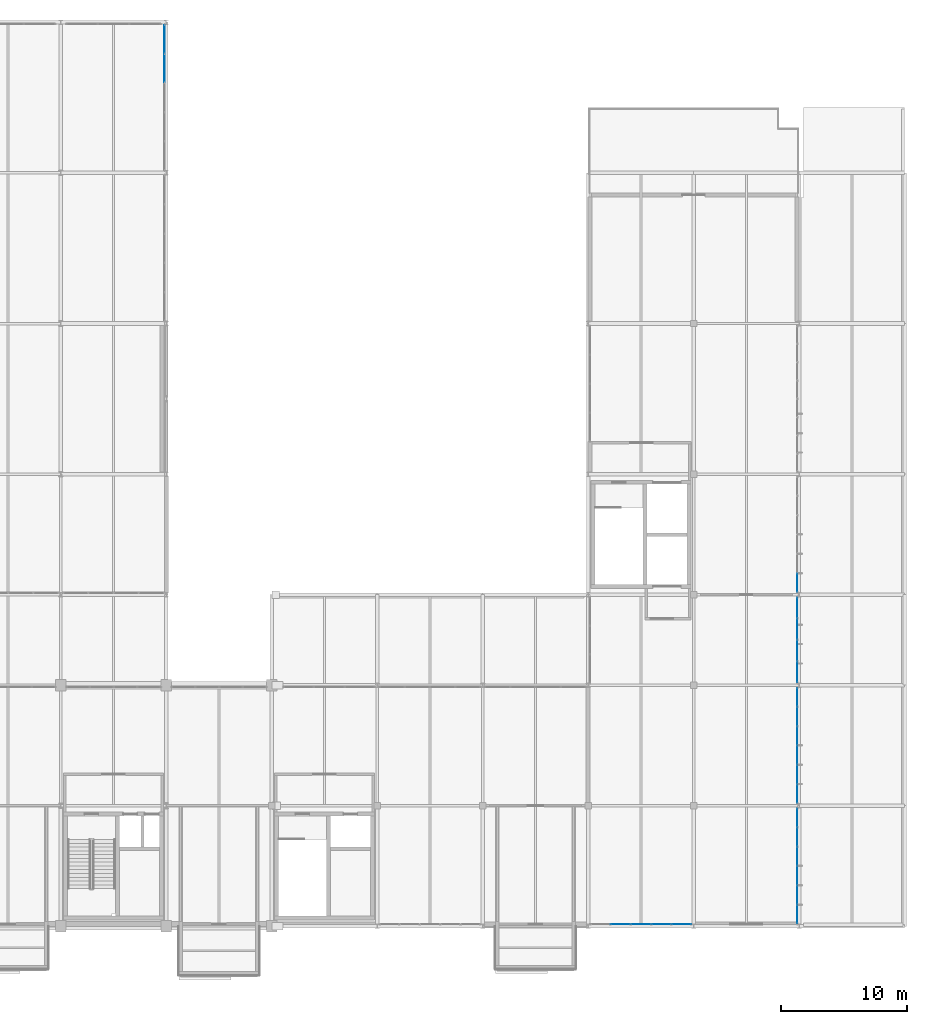
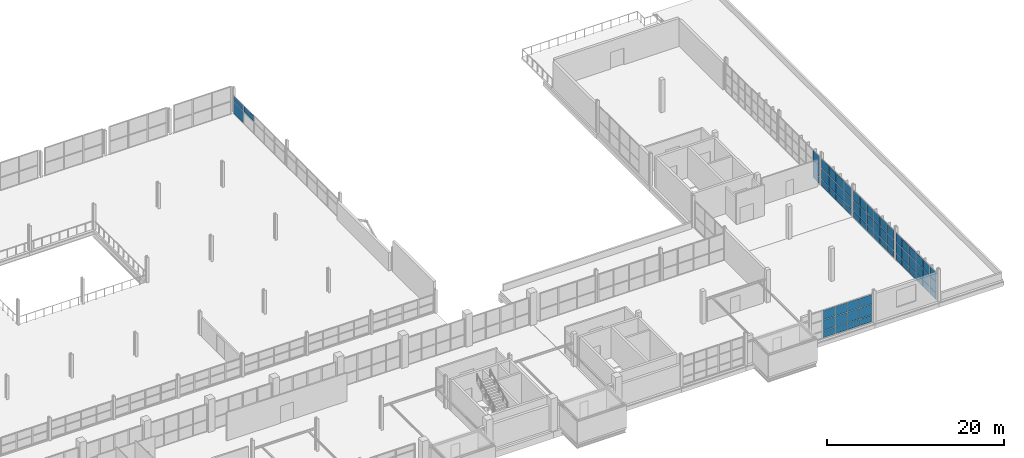
# One storey, part 89 of 103: 66 plates, 6 elements without a shape of their own.
"""IFC4 building model written with IfcOpenShell, lengths in metres."""

from ifc_helpers import new_model, si_unit, direction, frame, origin, origin_2d, place, context, subcontext, project, spatial, rectangle, extrude, material, layer, layer_set, type_object, element, aggregate, save


model = new_model("IFC4")

# Units and contexts
model_context = context("Model", 3, precision=1e-05, world=origin(), true_north=direction((0.0, 1.0)))
body_context = subcontext(model_context, "Body", "Model", "MODEL_VIEW")
ifc_project = project(units=[si_unit("LENGTHUNIT", "METRE"), si_unit("AREAUNIT", "SQUARE_METRE"), si_unit("VOLUMEUNIT", "CUBIC_METRE"), si_unit("PLANEANGLEUNIT", "RADIAN"), si_unit("MASSUNIT", "GRAM", prefix="KILO")], contexts=[model_context])

# Site, building, storey
site_placement = place(None, origin())
site = spatial("IfcSite", under=ifc_project, at=site_placement, CompositionType="ELEMENT")
building_placement = place(site_placement, origin())
building = spatial("IfcBuilding", under=site, at=building_placement, Name="Veltarok Museum of Natural Sciences", CompositionType="ELEMENT")
storey_placement = place(building_placement, frame((0.0, 0.0, 21.89990234375)))
storey = spatial("IfcBuildingStorey", under=building, at=storey_placement, Name="L04", CompositionType="ELEMENT", Elevation=21.89990234375)

# Curtain wall, plates
ifc_material = material(Name="Low-iron triple insulated glass", Category="glass")
curtain_wall_type_1 = type_object("IfcCurtainWallType", Name="Curtain Wall System CW-V5S-L04-16-810x388 (V5 South Lab Curtain Wall L04 16-17 810x388cm)", PredefinedType="NOTDEFINED", material=ifc_material)
curtain_wall_1_placement = place(storey_placement, origin())
curtain_wall_1 = element("IfcCurtainWall", 1, at=curtain_wall_1_placement, inside=storey, type_object=curtain_wall_type_1, Name="Curtain Wall CW-V5S-L04-16-810x388 CW-0097", PredefinedType="NOTDEFINED")
ifc_layer = layer(ifc_material, 0.028076171875)
ifc_layer_set = layer_set([ifc_layer], Name="Low-iron triple insulated glass")
plate_type = type_object("IfcPlateType", Name="Triple Low-Iron Glazed Vision Panel 28", PredefinedType="CURTAIN_PANEL", material=ifc_layer_set)
plate_1_placement = place(storey_placement, frame((134.97998046875, 0.159912109375, 0.06005859375), z_axis=(0.0, 0.0, 1.0), x_axis=(1.0, 0.0, 0.0)))
plate_1 = element("IfcPlate", 2, at=plate_1_placement, type_object=plate_type, Name="CW-V5S-L04-16-810x388 panel 2.1", PredefinedType="CURTAIN_PANEL", context=body_context, shape_type="SweptSolid", body=[
    extrude(rectangle(XDim=1.56005859375, YDim=0.028076171875, at=origin_2d()), origin(), (0.0, 0.0, 1.0), 0.909912109375),
])
plate_2_placement = place(storey_placement, frame((134.97998046875, 0.159912109375, 1.030029296875), z_axis=(0.0, 0.0, 1.0), x_axis=(1.0, 0.0, 0.0)))
plate_2 = element("IfcPlate", 3, at=plate_2_placement, type_object=plate_type, Name="CW-V5S-L04-16-810x388 panel 2.2", PredefinedType="CURTAIN_PANEL", context=body_context, shape_type="SweptSolid", body=[
    extrude(rectangle(XDim=1.56005859375, YDim=0.028076171875, at=origin_2d()), origin(), (0.0, 0.0, 1.0), 1.43994140625),
])
plate_3_placement = place(storey_placement, frame((134.97998046875, 0.159912109375, 2.530029296875), z_axis=(0.0, 0.0, 1.0), x_axis=(1.0, 0.0, 0.0)))
plate_3 = element("IfcPlate", 4, at=plate_3_placement, type_object=plate_type, Name="CW-V5S-L04-16-810x388 panel 2.3", PredefinedType="CURTAIN_PANEL", context=body_context, shape_type="SweptSolid", body=[
    extrude(rectangle(XDim=1.56005859375, YDim=0.028076171875, at=origin_2d()), origin(), (0.0, 0.0, 1.0), 1.2900390625),
])
plate_4_placement = place(storey_placement, frame((136.60009765625, 0.159912109375, 0.06005859375), z_axis=(0.0, 0.0, 1.0), x_axis=(1.0, 0.0, 0.0)))
plate_4 = element("IfcPlate", 5, at=plate_4_placement, type_object=plate_type, Name="CW-V5S-L04-16-810x388 panel 3.1", PredefinedType="CURTAIN_PANEL", context=body_context, shape_type="SweptSolid", body=[
    extrude(rectangle(XDim=1.56005859375, YDim=0.028076171875, at=origin_2d()), origin(), (0.0, 0.0, 1.0), 0.909912109375),
])
plate_5_placement = place(storey_placement, frame((136.60009765625, 0.159912109375, 1.030029296875), z_axis=(0.0, 0.0, 1.0), x_axis=(1.0, 0.0, 0.0)))
plate_5 = element("IfcPlate", 6, at=plate_5_placement, type_object=plate_type, Name="CW-V5S-L04-16-810x388 panel 3.2", PredefinedType="CURTAIN_PANEL", context=body_context, shape_type="SweptSolid", body=[
    extrude(rectangle(XDim=1.56005859375, YDim=0.028076171875, at=origin_2d()), origin(), (0.0, 0.0, 1.0), 1.43994140625),
])
plate_6_placement = place(storey_placement, frame((136.60009765625, 0.159912109375, 2.530029296875), z_axis=(0.0, 0.0, 1.0), x_axis=(1.0, 0.0, 0.0)))
plate_6 = element("IfcPlate", 7, at=plate_6_placement, type_object=plate_type, Name="CW-V5S-L04-16-810x388 panel 3.3", PredefinedType="CURTAIN_PANEL", context=body_context, shape_type="SweptSolid", body=[
    extrude(rectangle(XDim=1.56005859375, YDim=0.028076171875, at=origin_2d()), origin(), (0.0, 0.0, 1.0), 1.2900390625),
])
plate_7_placement = place(storey_placement, frame((138.219970703125, 0.159912109375, 0.06005859375), z_axis=(0.0, 0.0, 1.0), x_axis=(1.0, 0.0, 0.0)))
plate_7 = element("IfcPlate", 8, at=plate_7_placement, type_object=plate_type, Name="CW-V5S-L04-16-810x388 panel 4.1", PredefinedType="CURTAIN_PANEL", context=body_context, shape_type="SweptSolid", body=[
    extrude(rectangle(XDim=1.56005859375, YDim=0.028076171875, at=origin_2d()), origin(), (0.0, 0.0, 1.0), 0.909912109375),
])
plate_8_placement = place(storey_placement, frame((138.219970703125, 0.159912109375, 1.030029296875), z_axis=(0.0, 0.0, 1.0), x_axis=(1.0, 0.0, 0.0)))
plate_8 = element("IfcPlate", 9, at=plate_8_placement, type_object=plate_type, Name="CW-V5S-L04-16-810x388 panel 4.2", PredefinedType="CURTAIN_PANEL", context=body_context, shape_type="SweptSolid", body=[
    extrude(rectangle(XDim=1.56005859375, YDim=0.028076171875, at=origin_2d()), origin(), (0.0, 0.0, 1.0), 1.43994140625),
])
plate_9_placement = place(storey_placement, frame((138.219970703125, 0.159912109375, 2.530029296875), z_axis=(0.0, 0.0, 1.0), x_axis=(1.0, 0.0, 0.0)))
plate_9 = element("IfcPlate", 10, at=plate_9_placement, type_object=plate_type, Name="CW-V5S-L04-16-810x388 panel 4.3", PredefinedType="CURTAIN_PANEL", context=body_context, shape_type="SweptSolid", body=[
    extrude(rectangle(XDim=1.56005859375, YDim=0.028076171875, at=origin_2d()), origin(), (0.0, 0.0, 1.0), 1.2900390625),
])
plate_10_placement = place(storey_placement, frame((139.824951171875, 0.159912109375, 0.06005859375), z_axis=(0.0, 0.0, 1.0), x_axis=(1.0, 0.0, 0.0)))
plate_10 = element("IfcPlate", 11, at=plate_10_placement, type_object=plate_type, Name="CW-V5S-L04-16-810x388 panel 5.1", PredefinedType="CURTAIN_PANEL", context=body_context, shape_type="SweptSolid", body=[
    extrude(rectangle(XDim=1.530029296875, YDim=0.028076171875, at=origin_2d()), origin(), (0.0, 0.0, 1.0), 0.909912109375),
])
plate_11_placement = place(storey_placement, frame((139.824951171875, 0.159912109375, 1.030029296875), z_axis=(0.0, 0.0, 1.0), x_axis=(1.0, 0.0, 0.0)))
plate_11 = element("IfcPlate", 12, at=plate_11_placement, type_object=plate_type, Name="CW-V5S-L04-16-810x388 panel 5.2", PredefinedType="CURTAIN_PANEL", context=body_context, shape_type="SweptSolid", body=[
    extrude(rectangle(XDim=1.530029296875, YDim=0.028076171875, at=origin_2d()), origin(), (0.0, 0.0, 1.0), 1.43994140625),
])
plate_12_placement = place(storey_placement, frame((139.824951171875, 0.159912109375, 2.530029296875), z_axis=(0.0, 0.0, 1.0), x_axis=(1.0, 0.0, 0.0)))
plate_12 = element("IfcPlate", 13, at=plate_12_placement, type_object=plate_type, Name="CW-V5S-L04-16-810x388 panel 5.3", PredefinedType="CURTAIN_PANEL", context=body_context, shape_type="SweptSolid", body=[
    extrude(rectangle(XDim=1.530029296875, YDim=0.028076171875, at=origin_2d()), origin(), (0.0, 0.0, 1.0), 1.2900390625),
])
aggregate(curtain_wall_1, [plate_1, plate_2, plate_3, plate_4, plate_5, plate_6, plate_7, plate_8, plate_9, plate_10, plate_11, plate_12])

curtain_wall_type_2 = type_object("IfcCurtainWallType", Name="Curtain Wall System CW-V5E-L04-A-926x388 (V5 East Lab L04 A-B 926x388cm)", PredefinedType="NOTDEFINED", material=ifc_material)
curtain_wall_2_placement = place(storey_placement, origin())
curtain_wall_2 = element("IfcCurtainWall", 14, at=curtain_wall_2_placement, inside=storey, type_object=curtain_wall_type_2, Name="Curtain Wall CW-V5E-L04-A-926x388 CW-0120", PredefinedType="NOTDEFINED")
plate_13_placement = place(storey_placement, frame((149.050048828125, 0.956787109375, 0.06005859375), z_axis=(0.0, 0.0, 1.0), x_axis=(0.0, 1.0, 0.0)))
plate_13 = element("IfcPlate", 15, at=plate_13_placement, type_object=plate_type, Name="CW-V5E-L04-A-926x388 panel 1.1", PredefinedType="CURTAIN_PANEL", context=body_context, shape_type="SweptSolid", body=[
    extrude(rectangle(XDim=1.453369140625, YDim=0.028076171875, at=origin_2d()), origin(), (0.0, 0.0, 1.0), 0.909912109375),
])
plate_14_placement = place(storey_placement, frame((149.050048828125, 0.956787109375, 1.030029296875), z_axis=(0.0, 0.0, 1.0), x_axis=(0.0, 1.0, 0.0)))
plate_14 = element("IfcPlate", 16, at=plate_14_placement, type_object=plate_type, Name="CW-V5E-L04-A-926x388 panel 1.2", PredefinedType="CURTAIN_PANEL", context=body_context, shape_type="SweptSolid", body=[
    extrude(rectangle(XDim=1.453369140625, YDim=0.028076171875, at=origin_2d()), origin(), (0.0, 0.0, 1.0), 1.43994140625),
])
plate_15_placement = place(storey_placement, frame((149.050048828125, 0.956787109375, 2.530029296875), z_axis=(0.0, 0.0, 1.0), x_axis=(0.0, 1.0, 0.0)))
plate_15 = element("IfcPlate", 17, at=plate_15_placement, type_object=plate_type, Name="CW-V5E-L04-A-926x388 panel 1.3", PredefinedType="CURTAIN_PANEL", context=body_context, shape_type="SweptSolid", body=[
    extrude(rectangle(XDim=1.453369140625, YDim=0.028076171875, at=origin_2d()), origin(), (0.0, 0.0, 1.0), 1.2900390625),
])
plate_16_placement = place(storey_placement, frame((149.050048828125, 2.485107421875, 0.06005859375), z_axis=(0.0, 0.0, 1.0), x_axis=(0.0, 1.0, 0.0)))
plate_16 = element("IfcPlate", 18, at=plate_16_placement, type_object=plate_type, Name="CW-V5E-L04-A-926x388 panel 2.1", PredefinedType="CURTAIN_PANEL", context=body_context, shape_type="SweptSolid", body=[
    extrude(rectangle(XDim=1.4833984375, YDim=0.028076171875, at=origin_2d()), origin(), (0.0, 0.0, 1.0), 0.909912109375),
])
plate_17_placement = place(storey_placement, frame((149.050048828125, 2.485107421875, 1.030029296875), z_axis=(0.0, 0.0, 1.0), x_axis=(0.0, 1.0, 0.0)))
plate_17 = element("IfcPlate", 19, at=plate_17_placement, type_object=plate_type, Name="CW-V5E-L04-A-926x388 panel 2.2", PredefinedType="CURTAIN_PANEL", context=body_context, shape_type="SweptSolid", body=[
    extrude(rectangle(XDim=1.4833984375, YDim=0.028076171875, at=origin_2d()), origin(), (0.0, 0.0, 1.0), 1.43994140625),
])
plate_18_placement = place(storey_placement, frame((149.050048828125, 2.485107421875, 2.530029296875), z_axis=(0.0, 0.0, 1.0), x_axis=(0.0, 1.0, 0.0)))
plate_18 = element("IfcPlate", 20, at=plate_18_placement, type_object=plate_type, Name="CW-V5E-L04-A-926x388 panel 2.3", PredefinedType="CURTAIN_PANEL", context=body_context, shape_type="SweptSolid", body=[
    extrude(rectangle(XDim=1.4833984375, YDim=0.028076171875, at=origin_2d()), origin(), (0.0, 0.0, 1.0), 1.2900390625),
])
plate_19_placement = place(storey_placement, frame((149.050048828125, 4.0283203125, 0.06005859375), z_axis=(0.0, 0.0, 1.0), x_axis=(0.0, 1.0, 0.0)))
plate_19 = element("IfcPlate", 21, at=plate_19_placement, type_object=plate_type, Name="CW-V5E-L04-A-926x388 panel 3.1", PredefinedType="CURTAIN_PANEL", context=body_context, shape_type="SweptSolid", body=[
    extrude(rectangle(XDim=1.4833984375, YDim=0.028076171875, at=origin_2d()), origin(), (0.0, 0.0, 1.0), 0.909912109375),
])
plate_20_placement = place(storey_placement, frame((149.050048828125, 4.0283203125, 1.030029296875), z_axis=(0.0, 0.0, 1.0), x_axis=(0.0, 1.0, 0.0)))
plate_20 = element("IfcPlate", 22, at=plate_20_placement, type_object=plate_type, Name="CW-V5E-L04-A-926x388 panel 3.2", PredefinedType="CURTAIN_PANEL", context=body_context, shape_type="SweptSolid", body=[
    extrude(rectangle(XDim=1.4833984375, YDim=0.028076171875, at=origin_2d()), origin(), (0.0, 0.0, 1.0), 1.43994140625),
])
plate_21_placement = place(storey_placement, frame((149.050048828125, 4.0283203125, 2.530029296875), z_axis=(0.0, 0.0, 1.0), x_axis=(0.0, 1.0, 0.0)))
plate_21 = element("IfcPlate", 23, at=plate_21_placement, type_object=plate_type, Name="CW-V5E-L04-A-926x388 panel 3.3", PredefinedType="CURTAIN_PANEL", context=body_context, shape_type="SweptSolid", body=[
    extrude(rectangle(XDim=1.4833984375, YDim=0.028076171875, at=origin_2d()), origin(), (0.0, 0.0, 1.0), 1.2900390625),
])
plate_22_placement = place(storey_placement, frame((149.050048828125, 5.57177734375, 0.06005859375), z_axis=(0.0, 0.0, 1.0), x_axis=(0.0, 1.0, 0.0)))
plate_22 = element("IfcPlate", 24, at=plate_22_placement, type_object=plate_type, Name="CW-V5E-L04-A-926x388 panel 4.1", PredefinedType="CURTAIN_PANEL", context=body_context, shape_type="SweptSolid", body=[
    extrude(rectangle(XDim=1.4833984375, YDim=0.028076171875, at=origin_2d()), origin(), (0.0, 0.0, 1.0), 0.909912109375),
])
plate_23_placement = place(storey_placement, frame((149.050048828125, 5.57177734375, 1.030029296875), z_axis=(0.0, 0.0, 1.0), x_axis=(0.0, 1.0, 0.0)))
plate_23 = element("IfcPlate", 25, at=plate_23_placement, type_object=plate_type, Name="CW-V5E-L04-A-926x388 panel 4.2", PredefinedType="CURTAIN_PANEL", context=body_context, shape_type="SweptSolid", body=[
    extrude(rectangle(XDim=1.4833984375, YDim=0.028076171875, at=origin_2d()), origin(), (0.0, 0.0, 1.0), 1.43994140625),
])
plate_24_placement = place(storey_placement, frame((149.050048828125, 5.57177734375, 2.530029296875), z_axis=(0.0, 0.0, 1.0), x_axis=(0.0, 1.0, 0.0)))
plate_24 = element("IfcPlate", 26, at=plate_24_placement, type_object=plate_type, Name="CW-V5E-L04-A-926x388 panel 4.3", PredefinedType="CURTAIN_PANEL", context=body_context, shape_type="SweptSolid", body=[
    extrude(rectangle(XDim=1.4833984375, YDim=0.028076171875, at=origin_2d()), origin(), (0.0, 0.0, 1.0), 1.2900390625),
])
plate_25_placement = place(storey_placement, frame((149.050048828125, 7.114990234375, 0.06005859375), z_axis=(0.0, 0.0, 1.0), x_axis=(0.0, 1.0, 0.0)))
plate_25 = element("IfcPlate", 27, at=plate_25_placement, type_object=plate_type, Name="CW-V5E-L04-A-926x388 panel 5.1", PredefinedType="CURTAIN_PANEL", context=body_context, shape_type="SweptSolid", body=[
    extrude(rectangle(XDim=1.4833984375, YDim=0.028076171875, at=origin_2d()), origin(), (0.0, 0.0, 1.0), 0.909912109375),
])
plate_26_placement = place(storey_placement, frame((149.050048828125, 7.114990234375, 1.030029296875), z_axis=(0.0, 0.0, 1.0), x_axis=(0.0, 1.0, 0.0)))
plate_26 = element("IfcPlate", 28, at=plate_26_placement, type_object=plate_type, Name="CW-V5E-L04-A-926x388 panel 5.2", PredefinedType="CURTAIN_PANEL", context=body_context, shape_type="SweptSolid", body=[
    extrude(rectangle(XDim=1.4833984375, YDim=0.028076171875, at=origin_2d()), origin(), (0.0, 0.0, 1.0), 1.43994140625),
])
plate_27_placement = place(storey_placement, frame((149.050048828125, 7.114990234375, 2.530029296875), z_axis=(0.0, 0.0, 1.0), x_axis=(0.0, 1.0, 0.0)))
plate_27 = element("IfcPlate", 29, at=plate_27_placement, type_object=plate_type, Name="CW-V5E-L04-A-926x388 panel 5.3", PredefinedType="CURTAIN_PANEL", context=body_context, shape_type="SweptSolid", body=[
    extrude(rectangle(XDim=1.4833984375, YDim=0.028076171875, at=origin_2d()), origin(), (0.0, 0.0, 1.0), 1.2900390625),
])
plate_28_placement = place(storey_placement, frame((149.050048828125, 8.643310546875, 0.06005859375), z_axis=(0.0, 0.0, 1.0), x_axis=(0.0, 1.0, 0.0)))
plate_28 = element("IfcPlate", 30, at=plate_28_placement, type_object=plate_type, Name="CW-V5E-L04-A-926x388 panel 6.1", PredefinedType="CURTAIN_PANEL", context=body_context, shape_type="SweptSolid", body=[
    extrude(rectangle(XDim=1.453369140625, YDim=0.028076171875, at=origin_2d()), origin(), (0.0, 0.0, 1.0), 0.909912109375),
])
plate_29_placement = place(storey_placement, frame((149.050048828125, 8.643310546875, 1.030029296875), z_axis=(0.0, 0.0, 1.0), x_axis=(0.0, 1.0, 0.0)))
plate_29 = element("IfcPlate", 31, at=plate_29_placement, type_object=plate_type, Name="CW-V5E-L04-A-926x388 panel 6.2", PredefinedType="CURTAIN_PANEL", context=body_context, shape_type="SweptSolid", body=[
    extrude(rectangle(XDim=1.453369140625, YDim=0.028076171875, at=origin_2d()), origin(), (0.0, 0.0, 1.0), 1.43994140625),
])
plate_30_placement = place(storey_placement, frame((149.050048828125, 8.643310546875, 2.530029296875), z_axis=(0.0, 0.0, 1.0), x_axis=(0.0, 1.0, 0.0)))
plate_30 = element("IfcPlate", 32, at=plate_30_placement, type_object=plate_type, Name="CW-V5E-L04-A-926x388 panel 6.3", PredefinedType="CURTAIN_PANEL", context=body_context, shape_type="SweptSolid", body=[
    extrude(rectangle(XDim=1.453369140625, YDim=0.028076171875, at=origin_2d()), origin(), (0.0, 0.0, 1.0), 1.2900390625),
])
aggregate(curtain_wall_2, [plate_13, plate_14, plate_15, plate_16, plate_17, plate_18, plate_19, plate_20, plate_21, plate_22, plate_23, plate_24, plate_25, plate_26, plate_27, plate_28, plate_29, plate_30])

curtain_wall_type_3 = type_object("IfcCurtainWallType", Name="Curtain Wall System CW-V5E-L04-B-926x388 (V5 East Lab L04 B-C 926x388cm)", PredefinedType="NOTDEFINED", material=ifc_material)
curtain_wall_3_placement = place(storey_placement, origin())
curtain_wall_3 = element("IfcCurtainWall", 33, at=curtain_wall_3_placement, inside=storey, type_object=curtain_wall_type_3, Name="Curtain Wall CW-V5E-L04-B-926x388 CW-0121", PredefinedType="NOTDEFINED")
plate_31_placement = place(storey_placement, frame((149.050048828125, 10.556640625, 0.06005859375), z_axis=(0.0, 0.0, 1.0), x_axis=(0.0, 1.0, 0.0)))
plate_31 = element("IfcPlate", 34, at=plate_31_placement, type_object=plate_type, Name="CW-V5E-L04-B-926x388 panel 1.1", PredefinedType="CURTAIN_PANEL", context=body_context, shape_type="SweptSolid", body=[
    extrude(rectangle(XDim=1.453369140625, YDim=0.028076171875, at=origin_2d()), origin(), (0.0, 0.0, 1.0), 0.909912109375),
])
plate_32_placement = place(storey_placement, frame((149.050048828125, 10.556640625, 1.030029296875), z_axis=(0.0, 0.0, 1.0), x_axis=(0.0, 1.0, 0.0)))
plate_32 = element("IfcPlate", 35, at=plate_32_placement, type_object=plate_type, Name="CW-V5E-L04-B-926x388 panel 1.2", PredefinedType="CURTAIN_PANEL", context=body_context, shape_type="SweptSolid", body=[
    extrude(rectangle(XDim=1.453369140625, YDim=0.028076171875, at=origin_2d()), origin(), (0.0, 0.0, 1.0), 1.43994140625),
])
plate_33_placement = place(storey_placement, frame((149.050048828125, 10.556640625, 2.530029296875), z_axis=(0.0, 0.0, 1.0), x_axis=(0.0, 1.0, 0.0)))
plate_33 = element("IfcPlate", 36, at=plate_33_placement, type_object=plate_type, Name="CW-V5E-L04-B-926x388 panel 1.3", PredefinedType="CURTAIN_PANEL", context=body_context, shape_type="SweptSolid", body=[
    extrude(rectangle(XDim=1.453369140625, YDim=0.028076171875, at=origin_2d()), origin(), (0.0, 0.0, 1.0), 1.2900390625),
])
plate_34_placement = place(storey_placement, frame((149.050048828125, 12.0849609375, 0.06005859375), z_axis=(0.0, 0.0, 1.0), x_axis=(0.0, 1.0, 0.0)))
plate_34 = element("IfcPlate", 37, at=plate_34_placement, type_object=plate_type, Name="CW-V5E-L04-B-926x388 panel 2.1", PredefinedType="CURTAIN_PANEL", context=body_context, shape_type="SweptSolid", body=[
    extrude(rectangle(XDim=1.4833984375, YDim=0.028076171875, at=origin_2d()), origin(), (0.0, 0.0, 1.0), 0.909912109375),
])
plate_35_placement = place(storey_placement, frame((149.050048828125, 12.0849609375, 1.030029296875), z_axis=(0.0, 0.0, 1.0), x_axis=(0.0, 1.0, 0.0)))
plate_35 = element("IfcPlate", 38, at=plate_35_placement, type_object=plate_type, Name="CW-V5E-L04-B-926x388 panel 2.2", PredefinedType="CURTAIN_PANEL", context=body_context, shape_type="SweptSolid", body=[
    extrude(rectangle(XDim=1.4833984375, YDim=0.028076171875, at=origin_2d()), origin(), (0.0, 0.0, 1.0), 1.43994140625),
])
plate_36_placement = place(storey_placement, frame((149.050048828125, 12.0849609375, 2.530029296875), z_axis=(0.0, 0.0, 1.0), x_axis=(0.0, 1.0, 0.0)))
plate_36 = element("IfcPlate", 39, at=plate_36_placement, type_object=plate_type, Name="CW-V5E-L04-B-926x388 panel 2.3", PredefinedType="CURTAIN_PANEL", context=body_context, shape_type="SweptSolid", body=[
    extrude(rectangle(XDim=1.4833984375, YDim=0.028076171875, at=origin_2d()), origin(), (0.0, 0.0, 1.0), 1.2900390625),
])
plate_37_placement = place(storey_placement, frame((149.050048828125, 13.62841796875, 0.06005859375), z_axis=(0.0, 0.0, 1.0), x_axis=(0.0, 1.0, 0.0)))
plate_37 = element("IfcPlate", 40, at=plate_37_placement, type_object=plate_type, Name="CW-V5E-L04-B-926x388 panel 3.1", PredefinedType="CURTAIN_PANEL", context=body_context, shape_type="SweptSolid", body=[
    extrude(rectangle(XDim=1.4833984375, YDim=0.028076171875, at=origin_2d()), origin(), (0.0, 0.0, 1.0), 0.909912109375),
])
plate_38_placement = place(storey_placement, frame((149.050048828125, 13.62841796875, 1.030029296875), z_axis=(0.0, 0.0, 1.0), x_axis=(0.0, 1.0, 0.0)))
plate_38 = element("IfcPlate", 41, at=plate_38_placement, type_object=plate_type, Name="CW-V5E-L04-B-926x388 panel 3.2", PredefinedType="CURTAIN_PANEL", context=body_context, shape_type="SweptSolid", body=[
    extrude(rectangle(XDim=1.4833984375, YDim=0.028076171875, at=origin_2d()), origin(), (0.0, 0.0, 1.0), 1.43994140625),
])
plate_39_placement = place(storey_placement, frame((149.050048828125, 13.62841796875, 2.530029296875), z_axis=(0.0, 0.0, 1.0), x_axis=(0.0, 1.0, 0.0)))
plate_39 = element("IfcPlate", 42, at=plate_39_placement, type_object=plate_type, Name="CW-V5E-L04-B-926x388 panel 3.3", PredefinedType="CURTAIN_PANEL", context=body_context, shape_type="SweptSolid", body=[
    extrude(rectangle(XDim=1.4833984375, YDim=0.028076171875, at=origin_2d()), origin(), (0.0, 0.0, 1.0), 1.2900390625),
])
plate_40_placement = place(storey_placement, frame((149.050048828125, 15.171630859375, 0.06005859375), z_axis=(0.0, 0.0, 1.0), x_axis=(0.0, 1.0, 0.0)))
plate_40 = element("IfcPlate", 43, at=plate_40_placement, type_object=plate_type, Name="CW-V5E-L04-B-926x388 panel 4.1", PredefinedType="CURTAIN_PANEL", context=body_context, shape_type="SweptSolid", body=[
    extrude(rectangle(XDim=1.4833984375, YDim=0.028076171875, at=origin_2d()), origin(), (0.0, 0.0, 1.0), 0.909912109375),
])
plate_41_placement = place(storey_placement, frame((149.050048828125, 15.171630859375, 1.030029296875), z_axis=(0.0, 0.0, 1.0), x_axis=(0.0, 1.0, 0.0)))
plate_41 = element("IfcPlate", 44, at=plate_41_placement, type_object=plate_type, Name="CW-V5E-L04-B-926x388 panel 4.2", PredefinedType="CURTAIN_PANEL", context=body_context, shape_type="SweptSolid", body=[
    extrude(rectangle(XDim=1.4833984375, YDim=0.028076171875, at=origin_2d()), origin(), (0.0, 0.0, 1.0), 1.43994140625),
])
plate_42_placement = place(storey_placement, frame((149.050048828125, 15.171630859375, 2.530029296875), z_axis=(0.0, 0.0, 1.0), x_axis=(0.0, 1.0, 0.0)))
plate_42 = element("IfcPlate", 45, at=plate_42_placement, type_object=plate_type, Name="CW-V5E-L04-B-926x388 panel 4.3", PredefinedType="CURTAIN_PANEL", context=body_context, shape_type="SweptSolid", body=[
    extrude(rectangle(XDim=1.4833984375, YDim=0.028076171875, at=origin_2d()), origin(), (0.0, 0.0, 1.0), 1.2900390625),
])
plate_43_placement = place(storey_placement, frame((149.050048828125, 16.715087890625, 0.06005859375), z_axis=(0.0, 0.0, 1.0), x_axis=(0.0, 1.0, 0.0)))
plate_43 = element("IfcPlate", 46, at=plate_43_placement, type_object=plate_type, Name="CW-V5E-L04-B-926x388 panel 5.1", PredefinedType="CURTAIN_PANEL", context=body_context, shape_type="SweptSolid", body=[
    extrude(rectangle(XDim=1.4833984375, YDim=0.028076171875, at=origin_2d()), origin(), (0.0, 0.0, 1.0), 0.909912109375),
])
plate_44_placement = place(storey_placement, frame((149.050048828125, 16.715087890625, 1.030029296875), z_axis=(0.0, 0.0, 1.0), x_axis=(0.0, 1.0, 0.0)))
plate_44 = element("IfcPlate", 47, at=plate_44_placement, type_object=plate_type, Name="CW-V5E-L04-B-926x388 panel 5.2", PredefinedType="CURTAIN_PANEL", context=body_context, shape_type="SweptSolid", body=[
    extrude(rectangle(XDim=1.4833984375, YDim=0.028076171875, at=origin_2d()), origin(), (0.0, 0.0, 1.0), 1.43994140625),
])
plate_45_placement = place(storey_placement, frame((149.050048828125, 16.715087890625, 2.530029296875), z_axis=(0.0, 0.0, 1.0), x_axis=(0.0, 1.0, 0.0)))
plate_45 = element("IfcPlate", 48, at=plate_45_placement, type_object=plate_type, Name="CW-V5E-L04-B-926x388 panel 5.3", PredefinedType="CURTAIN_PANEL", context=body_context, shape_type="SweptSolid", body=[
    extrude(rectangle(XDim=1.4833984375, YDim=0.028076171875, at=origin_2d()), origin(), (0.0, 0.0, 1.0), 1.2900390625),
])
plate_46_placement = place(storey_placement, frame((149.050048828125, 18.243408203125, 0.06005859375), z_axis=(0.0, 0.0, 1.0), x_axis=(0.0, 1.0, 0.0)))
plate_46 = element("IfcPlate", 49, at=plate_46_placement, type_object=plate_type, Name="CW-V5E-L04-B-926x388 panel 6.1", PredefinedType="CURTAIN_PANEL", context=body_context, shape_type="SweptSolid", body=[
    extrude(rectangle(XDim=1.453369140625, YDim=0.028076171875, at=origin_2d()), origin(), (0.0, 0.0, 1.0), 0.909912109375),
])
plate_47_placement = place(storey_placement, frame((149.050048828125, 18.243408203125, 1.030029296875), z_axis=(0.0, 0.0, 1.0), x_axis=(0.0, 1.0, 0.0)))
plate_47 = element("IfcPlate", 50, at=plate_47_placement, type_object=plate_type, Name="CW-V5E-L04-B-926x388 panel 6.2", PredefinedType="CURTAIN_PANEL", context=body_context, shape_type="SweptSolid", body=[
    extrude(rectangle(XDim=1.453369140625, YDim=0.028076171875, at=origin_2d()), origin(), (0.0, 0.0, 1.0), 1.43994140625),
])
plate_48_placement = place(storey_placement, frame((149.050048828125, 18.243408203125, 2.530029296875), z_axis=(0.0, 0.0, 1.0), x_axis=(0.0, 1.0, 0.0)))
plate_48 = element("IfcPlate", 51, at=plate_48_placement, type_object=plate_type, Name="CW-V5E-L04-B-926x388 panel 6.3", PredefinedType="CURTAIN_PANEL", context=body_context, shape_type="SweptSolid", body=[
    extrude(rectangle(XDim=1.453369140625, YDim=0.028076171875, at=origin_2d()), origin(), (0.0, 0.0, 1.0), 1.2900390625),
])
aggregate(curtain_wall_3, [plate_31, plate_32, plate_33, plate_34, plate_35, plate_36, plate_37, plate_38, plate_39, plate_40, plate_41, plate_42, plate_43, plate_44, plate_45, plate_46, plate_47, plate_48])

curtain_wall_type_4 = type_object("IfcCurtainWallType", Name="Curtain Wall System CW-V5E-L04-C-686x388 (V5 East Lab L04 C-D 686x388cm)", PredefinedType="NOTDEFINED", material=ifc_material)
curtain_wall_4_placement = place(storey_placement, origin())
curtain_wall_4 = element("IfcCurtainWall", 52, at=curtain_wall_4_placement, inside=storey, type_object=curtain_wall_type_4, Name="Curtain Wall CW-V5E-L04-C-686x388 CW-0122", PredefinedType="NOTDEFINED")
plate_49_placement = place(storey_placement, frame((149.050048828125, 20.242431640625, 0.06005859375), z_axis=(0.0, 0.0, 1.0), x_axis=(0.0, 1.0, 0.0)))
plate_49 = element("IfcPlate", 53, at=plate_49_placement, type_object=plate_type, Name="CW-V5E-L04-C-686x388 panel 1.1", PredefinedType="CURTAIN_PANEL", context=body_context, shape_type="SweptSolid", body=[
    extrude(rectangle(XDim=1.625, YDim=0.028076171875, at=origin_2d()), origin(), (0.0, 0.0, 1.0), 0.909912109375),
])
plate_50_placement = place(storey_placement, frame((149.050048828125, 20.242431640625, 1.030029296875), z_axis=(0.0, 0.0, 1.0), x_axis=(0.0, 1.0, 0.0)))
plate_50 = element("IfcPlate", 54, at=plate_50_placement, type_object=plate_type, Name="CW-V5E-L04-C-686x388 panel 1.2", PredefinedType="CURTAIN_PANEL", context=body_context, shape_type="SweptSolid", body=[
    extrude(rectangle(XDim=1.625, YDim=0.028076171875, at=origin_2d()), origin(), (0.0, 0.0, 1.0), 1.43994140625),
])
plate_51_placement = place(storey_placement, frame((149.050048828125, 20.242431640625, 2.530029296875), z_axis=(0.0, 0.0, 1.0), x_axis=(0.0, 1.0, 0.0)))
plate_51 = element("IfcPlate", 55, at=plate_51_placement, type_object=plate_type, Name="CW-V5E-L04-C-686x388 panel 1.3", PredefinedType="CURTAIN_PANEL", context=body_context, shape_type="SweptSolid", body=[
    extrude(rectangle(XDim=1.625, YDim=0.028076171875, at=origin_2d()), origin(), (0.0, 0.0, 1.0), 1.2900390625),
])
plate_52_placement = place(storey_placement, frame((149.050048828125, 21.9423828125, 0.06005859375), z_axis=(0.0, 0.0, 1.0), x_axis=(0.0, 1.0, 0.0)))
plate_52 = element("IfcPlate", 56, at=plate_52_placement, type_object=plate_type, Name="CW-V5E-L04-C-686x388 panel 2.1", PredefinedType="CURTAIN_PANEL", context=body_context, shape_type="SweptSolid", body=[
    extrude(rectangle(XDim=1.655029296875, YDim=0.028076171875, at=origin_2d()), origin(), (0.0, 0.0, 1.0), 0.909912109375),
])
plate_53_placement = place(storey_placement, frame((149.050048828125, 21.9423828125, 1.030029296875), z_axis=(0.0, 0.0, 1.0), x_axis=(0.0, 1.0, 0.0)))
plate_53 = element("IfcPlate", 57, at=plate_53_placement, type_object=plate_type, Name="CW-V5E-L04-C-686x388 panel 2.2", PredefinedType="CURTAIN_PANEL", context=body_context, shape_type="SweptSolid", body=[
    extrude(rectangle(XDim=1.655029296875, YDim=0.028076171875, at=origin_2d()), origin(), (0.0, 0.0, 1.0), 1.43994140625),
])
plate_54_placement = place(storey_placement, frame((149.050048828125, 21.9423828125, 2.530029296875), z_axis=(0.0, 0.0, 1.0), x_axis=(0.0, 1.0, 0.0)))
plate_54 = element("IfcPlate", 58, at=plate_54_placement, type_object=plate_type, Name="CW-V5E-L04-C-686x388 panel 2.3", PredefinedType="CURTAIN_PANEL", context=body_context, shape_type="SweptSolid", body=[
    extrude(rectangle(XDim=1.655029296875, YDim=0.028076171875, at=origin_2d()), origin(), (0.0, 0.0, 1.0), 1.2900390625),
])
plate_55_placement = place(storey_placement, frame((149.050048828125, 23.657470703125, 0.06005859375), z_axis=(0.0, 0.0, 1.0), x_axis=(0.0, 1.0, 0.0)))
plate_55 = element("IfcPlate", 59, at=plate_55_placement, type_object=plate_type, Name="CW-V5E-L04-C-686x388 panel 3.1", PredefinedType="CURTAIN_PANEL", context=body_context, shape_type="SweptSolid", body=[
    extrude(rectangle(XDim=1.655029296875, YDim=0.028076171875, at=origin_2d()), origin(), (0.0, 0.0, 1.0), 0.909912109375),
])
plate_56_placement = place(storey_placement, frame((149.050048828125, 23.657470703125, 1.030029296875), z_axis=(0.0, 0.0, 1.0), x_axis=(0.0, 1.0, 0.0)))
plate_56 = element("IfcPlate", 60, at=plate_56_placement, type_object=plate_type, Name="CW-V5E-L04-C-686x388 panel 3.2", PredefinedType="CURTAIN_PANEL", context=body_context, shape_type="SweptSolid", body=[
    extrude(rectangle(XDim=1.655029296875, YDim=0.028076171875, at=origin_2d()), origin(), (0.0, 0.0, 1.0), 1.43994140625),
])
plate_57_placement = place(storey_placement, frame((149.050048828125, 23.657470703125, 2.530029296875), z_axis=(0.0, 0.0, 1.0), x_axis=(0.0, 1.0, 0.0)))
plate_57 = element("IfcPlate", 61, at=plate_57_placement, type_object=plate_type, Name="CW-V5E-L04-C-686x388 panel 3.3", PredefinedType="CURTAIN_PANEL", context=body_context, shape_type="SweptSolid", body=[
    extrude(rectangle(XDim=1.655029296875, YDim=0.028076171875, at=origin_2d()), origin(), (0.0, 0.0, 1.0), 1.2900390625),
])
plate_58_placement = place(storey_placement, frame((149.050048828125, 25.357421875, 0.06005859375), z_axis=(0.0, 0.0, 1.0), x_axis=(0.0, 1.0, 0.0)))
plate_58 = element("IfcPlate", 62, at=plate_58_placement, type_object=plate_type, Name="CW-V5E-L04-C-686x388 panel 4.1", PredefinedType="CURTAIN_PANEL", context=body_context, shape_type="SweptSolid", body=[
    extrude(rectangle(XDim=1.625, YDim=0.028076171875, at=origin_2d()), origin(), (0.0, 0.0, 1.0), 0.909912109375),
])
plate_59_placement = place(storey_placement, frame((149.050048828125, 25.357421875, 1.030029296875), z_axis=(0.0, 0.0, 1.0), x_axis=(0.0, 1.0, 0.0)))
plate_59 = element("IfcPlate", 63, at=plate_59_placement, type_object=plate_type, Name="CW-V5E-L04-C-686x388 panel 4.2", PredefinedType="CURTAIN_PANEL", context=body_context, shape_type="SweptSolid", body=[
    extrude(rectangle(XDim=1.625, YDim=0.028076171875, at=origin_2d()), origin(), (0.0, 0.0, 1.0), 1.43994140625),
])
plate_60_placement = place(storey_placement, frame((149.050048828125, 25.357421875, 2.530029296875), z_axis=(0.0, 0.0, 1.0), x_axis=(0.0, 1.0, 0.0)))
plate_60 = element("IfcPlate", 64, at=plate_60_placement, type_object=plate_type, Name="CW-V5E-L04-C-686x388 panel 4.3", PredefinedType="CURTAIN_PANEL", context=body_context, shape_type="SweptSolid", body=[
    extrude(rectangle(XDim=1.625, YDim=0.028076171875, at=origin_2d()), origin(), (0.0, 0.0, 1.0), 1.2900390625),
])
aggregate(curtain_wall_4, [plate_49, plate_50, plate_51, plate_52, plate_53, plate_54, plate_55, plate_56, plate_57, plate_58, plate_59, plate_60])

curtain_wall_type_5 = type_object("IfcCurtainWallType", Name="Curtain Wall System CW-V5E-L04-D-926x388 (V5 East Lab L04 D-E 926x388cm)", PredefinedType="NOTDEFINED", material=ifc_material)
curtain_wall_5_placement = place(storey_placement, origin())
curtain_wall_5 = element("IfcCurtainWall", 65, at=curtain_wall_5_placement, inside=storey, type_object=curtain_wall_type_5, Name="Curtain Wall CW-V5E-L04-D-926x388 CW-0123", PredefinedType="NOTDEFINED")
plate_61_placement = place(storey_placement, frame((149.050048828125, 27.356689453125, 0.06005859375), z_axis=(0.0, 0.0, 1.0), x_axis=(0.0, 1.0, 0.0)))
plate_61 = element("IfcPlate", 66, at=plate_61_placement, type_object=plate_type, Name="CW-V5E-L04-D-926x388 panel 1.1", PredefinedType="CURTAIN_PANEL", context=body_context, shape_type="SweptSolid", body=[
    extrude(rectangle(XDim=1.453369140625, YDim=0.028076171875, at=origin_2d()), origin(), (0.0, 0.0, 1.0), 0.909912109375),
])
plate_62_placement = place(storey_placement, frame((149.050048828125, 27.356689453125, 1.030029296875), z_axis=(0.0, 0.0, 1.0), x_axis=(0.0, 1.0, 0.0)))
plate_62 = element("IfcPlate", 67, at=plate_62_placement, type_object=plate_type, Name="CW-V5E-L04-D-926x388 panel 1.2", PredefinedType="CURTAIN_PANEL", context=body_context, shape_type="SweptSolid", body=[
    extrude(rectangle(XDim=1.453369140625, YDim=0.028076171875, at=origin_2d()), origin(), (0.0, 0.0, 1.0), 1.43994140625),
])
plate_63_placement = place(storey_placement, frame((149.050048828125, 27.356689453125, 2.530029296875), z_axis=(0.0, 0.0, 1.0), x_axis=(0.0, 1.0, 0.0)))
plate_63 = element("IfcPlate", 68, at=plate_63_placement, type_object=plate_type, Name="CW-V5E-L04-D-926x388 panel 1.3", PredefinedType="CURTAIN_PANEL", context=body_context, shape_type="SweptSolid", body=[
    extrude(rectangle(XDim=1.453369140625, YDim=0.028076171875, at=origin_2d()), origin(), (0.0, 0.0, 1.0), 1.2900390625),
])
aggregate(curtain_wall_5, [plate_61, plate_62, plate_63])

curtain_wall_type_6 = type_object("IfcCurtainWallType", Name="Curtain Wall System CW-V2E-L04-2-1166x254 (CW-V2E L04 1166x254cm)", PredefinedType="NOTDEFINED", material=ifc_material)
curtain_wall_6_placement = place(storey_placement, origin())
curtain_wall_6 = element("IfcCurtainWall", 69, at=curtain_wall_6_placement, inside=storey, type_object=curtain_wall_type_6, Name="Curtain Wall CW-V2E-L04-2-1166x254 CW-0138", PredefinedType="NOTDEFINED")
plate_64_placement = place(storey_placement, frame((98.64990234375, 68.33203125, 1.67822265625), z_axis=(0.0, 0.0, 1.0), x_axis=(0.0, 1.0, 0.0)))
plate_64 = element("IfcPlate", 70, at=plate_64_placement, type_object=plate_type, Name="CW-V2E-L04-2-1166x254 panel 4.2", PredefinedType="CURTAIN_PANEL", context=body_context, shape_type="SweptSolid", body=[
    extrude(rectangle(XDim=2.27197265625, YDim=0.028076171875, at=origin_2d()), origin(), (0.0, 0.0, 1.0), 0.802001953125),
])
plate_65_placement = place(storey_placement, frame((98.64990234375, 70.64892578125, 0.05810546875), z_axis=(0.0, 0.0, 1.0), x_axis=(0.0, 1.0, 0.0)))
plate_65 = element("IfcPlate", 71, at=plate_65_placement, type_object=plate_type, Name="CW-V2E-L04-2-1166x254 panel 5.1", PredefinedType="CURTAIN_PANEL", context=body_context, shape_type="SweptSolid", body=[
    extrude(rectangle(XDim=2.241943359375, YDim=0.028076171875, at=origin_2d()), origin(), (0.0, 0.0, 1.0), 1.56005859375),
])
plate_66_placement = place(storey_placement, frame((98.64990234375, 70.64892578125, 1.67822265625), z_axis=(0.0, 0.0, 1.0), x_axis=(0.0, 1.0, 0.0)))
plate_66 = element("IfcPlate", 72, at=plate_66_placement, type_object=plate_type, Name="CW-V2E-L04-2-1166x254 panel 5.2", PredefinedType="CURTAIN_PANEL", context=body_context, shape_type="SweptSolid", body=[
    extrude(rectangle(XDim=2.241943359375, YDim=0.028076171875, at=origin_2d()), origin(), (0.0, 0.0, 1.0), 0.802001953125),
])
aggregate(curtain_wall_6, [plate_64, plate_65, plate_66])

save(model, "model.ifc")
